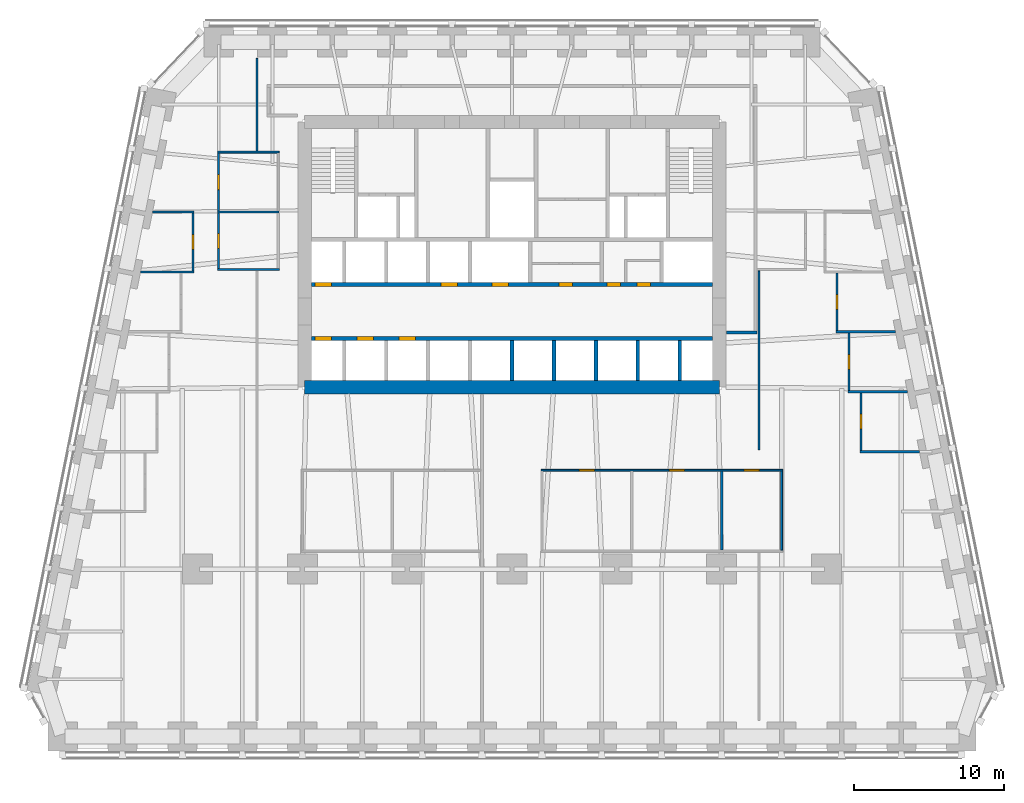
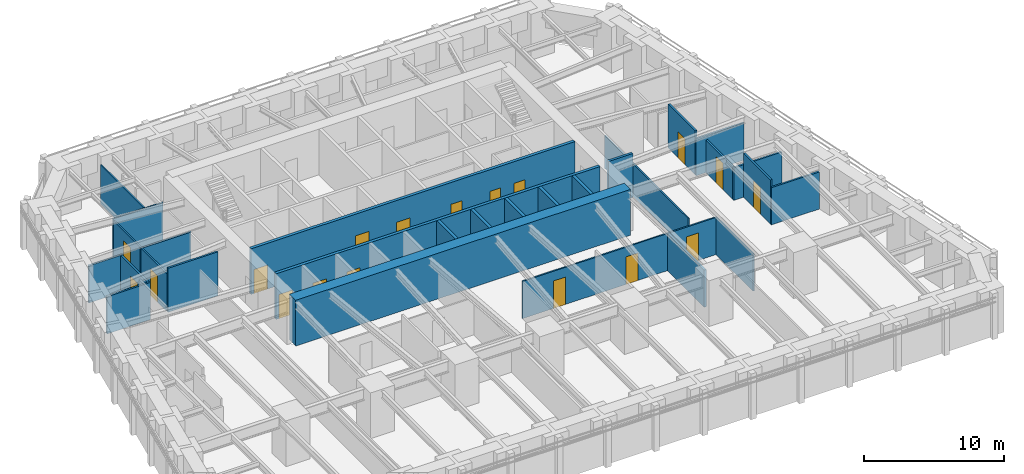
# One storey, part 6 of 10: 28 walls, 18 doors, 18 openings.
"""IFC4 building model written with IfcOpenShell, lengths in metres."""

from ifc_helpers import new_model, si_unit, direction, frame, frame_2d, origin, place, context, subcontext, project, spatial, rectangle, extrude, material, layer, layer_set, type_object, element, fill, save


model = new_model("IFC4")

# Units and contexts
model_context = context("Model", 3, precision=1e-05, world=origin(), true_north=direction((0.0, 1.0)))
body_context = subcontext(model_context, "Body", "Model", "MODEL_VIEW")
ifc_project = project(units=[si_unit("LENGTHUNIT", "METRE"), si_unit("AREAUNIT", "SQUARE_METRE"), si_unit("VOLUMEUNIT", "CUBIC_METRE"), si_unit("PLANEANGLEUNIT", "RADIAN"), si_unit("MASSUNIT", "GRAM", prefix="KILO")], contexts=[model_context])

# Site, building, storey
site_placement = place(None, origin())
site = spatial("IfcSite", under=ifc_project, at=site_placement, CompositionType="ELEMENT")
building_placement = place(site_placement, origin())
building = spatial("IfcBuilding", under=site, at=building_placement, Name="Isbrekke Arena Tower", CompositionType="ELEMENT")
storey_placement = place(building_placement, frame((0.0, 0.0, 60.0)))
storey = spatial("IfcBuildingStorey", under=building, at=storey_placement, Name="L12", CompositionType="ELEMENT", Elevation=60.0)

# Wall
ifc_material_1 = material(Name="Concrete B65 (C65/80)", Category="concrete")
ifc_layer_1 = layer(ifc_material_1, 0.89990234375)
ifc_layer_set_1 = layer_set([ifc_layer_1], Name="CW2 CORE WALL 900")
wall_type_1 = type_object("IfcWallType", Name="CW2 CORE WALL 900", PredefinedType="SHEAR", material=ifc_layer_set_1)
wall_1_placement = place(storey_placement, frame((-13.85009765625, 6.14990234375, 0.0), z_axis=(0.0, 0.0, 1.0), x_axis=(1.0, 0.0, 0.0)))
element("IfcWall", 1, at=wall_1_placement, inside=storey, type_object=wall_type_1, Name="Core wall S L12", PredefinedType="SHEAR", context=body_context, shape_type="SweptSolid", body=[
    extrude(rectangle(XDim=27.7001953125, YDim=0.89990234375, at=frame_2d((13.85009765625, 0.0))), origin(), (0.0, 0.0, 1.0), 4.0),
])

# Wall, openings, doors
ifc_material_2 = material(Name="Concrete B45 (C45/55)", Category="concrete")
ifc_layer_2 = layer(ifc_material_2, 0.25)
ifc_layer_set_2 = layer_set([ifc_layer_2], Name="CW6 SHAFT WALL 250")
wall_type_2 = type_object("IfcWallType", Name="CW6 SHAFT WALL 250", PredefinedType="SHEAR", material=ifc_layer_set_2)
wall_2_placement = place(storey_placement, frame((-13.39990234375, 9.39990234375, 0.0), z_axis=(0.0, 0.0, 1.0), x_axis=(1.0, 0.0, 0.0)))
wall_2 = element("IfcWall", 2, at=wall_2_placement, inside=storey, type_object=wall_type_2, Name="Core wall LS L12", PredefinedType="SHEAR", context=body_context, shape_type="SweptSolid", body=[
    extrude(rectangle(XDim=26.7998046875, YDim=0.25, at=frame_2d((13.39990234375, 0.0))), origin(), (0.0, 0.0, 1.0), 4.0),
])
opening_1_placement = place(wall_2_placement, frame((0.25, 0.0, 0.0)))
opening_1 = element("IfcOpeningElement", 3, at=opening_1_placement, cuts=wall_2, Name="Opening LD1", PredefinedType="OPENING", context=body_context, shape_type="SweptSolid", body=[
    extrude(rectangle(XDim=1.10009765625, YDim=2.10009765625, at=frame_2d((0.550048828125, 1.050048828125))), frame((0.0, 0.139892578125, 0.0), z_axis=(0.0, -1.0, 0.0), x_axis=(1.0, 0.0, 0.0)), (0.0, 0.0, 1.0), 0.27978515625),
])
opening_2_placement = place(wall_2_placement, frame((3.050048828125, 0.0, 0.0)))
opening_2 = element("IfcOpeningElement", 4, at=opening_2_placement, cuts=wall_2, Name="Opening LD1", PredefinedType="OPENING", context=body_context, shape_type="SweptSolid", body=[
    extrude(rectangle(XDim=1.10009765625, YDim=2.10009765625, at=frame_2d((0.550048828125, 1.050048828125))), frame((0.0, 0.139892578125, 0.0), z_axis=(0.0, -1.0, 0.0), x_axis=(1.0, 0.0, 0.0)), (0.0, 0.0, 1.0), 0.27978515625),
])
opening_3_placement = place(wall_2_placement, frame((5.85009765625, 0.0, 0.0)))
opening_3 = element("IfcOpeningElement", 5, at=opening_3_placement, cuts=wall_2, Name="Opening LD1", PredefinedType="OPENING", context=body_context, shape_type="SweptSolid", body=[
    extrude(rectangle(XDim=1.10009765625, YDim=2.10009765625, at=frame_2d((0.550048828125, 1.050048828125))), frame((0.0, 0.139892578125, 0.0), z_axis=(0.0, -1.0, 0.0), x_axis=(1.0, 0.0, 0.0)), (0.0, 0.0, 1.0), 0.27978515625),
])
ifc_material_3 = material(Name="Stainless steel lift landing door", Category="steel")
door_type_1 = type_object("IfcDoorType", Name="LD1 LIFT LANDING DOOR 1100 x 2100", OperationType="SLIDING_TO_LEFT", PredefinedType="DOOR", material=ifc_material_3)
door_1_placement = place(opening_1_placement, origin())
door_1 = element("IfcDoor", 6, at=door_1_placement, inside=storey, type_object=door_type_1, Name="LD1 lift landing door LA L12", OperationType="SLIDING_TO_LEFT", OverallHeight=2.10009765625, OverallWidth=1.10009765625, PredefinedType="DOOR", context=body_context, shape_type="SweptSolid", body=[
    extrude(rectangle(XDim=1.10009765625, YDim=2.10009765625, at=frame_2d((0.550048828125, 1.050048828125))), frame((0.0, 0.124755859375, 0.0), z_axis=(0.0, -1.0, 0.0), x_axis=(1.0, 0.0, 0.0)), (0.0, 0.0, 1.0), 0.24951171875),
])
fill(opening_1, door_1)
door_2_placement = place(opening_2_placement, origin())
door_2 = element("IfcDoor", 7, at=door_2_placement, inside=storey, type_object=door_type_1, Name="LD1 lift landing door LA L12", OperationType="SLIDING_TO_LEFT", OverallHeight=2.10009765625, OverallWidth=1.10009765625, PredefinedType="DOOR", context=body_context, shape_type="SweptSolid", body=[
    extrude(rectangle(XDim=1.10009765625, YDim=2.10009765625, at=frame_2d((0.550048828125, 1.050048828125))), frame((0.0, 0.124755859375, 0.0), z_axis=(0.0, -1.0, 0.0), x_axis=(1.0, 0.0, 0.0)), (0.0, 0.0, 1.0), 0.24951171875),
])
fill(opening_2, door_2)
door_3_placement = place(opening_3_placement, origin())
door_3 = element("IfcDoor", 8, at=door_3_placement, inside=storey, type_object=door_type_1, Name="LD1 lift landing door LA L12", OperationType="SLIDING_TO_LEFT", OverallHeight=2.10009765625, OverallWidth=1.10009765625, PredefinedType="DOOR", context=body_context, shape_type="SweptSolid", body=[
    extrude(rectangle(XDim=1.10009765625, YDim=2.10009765625, at=frame_2d((0.550048828125, 1.050048828125))), frame((0.0, 0.124755859375, 0.0), z_axis=(0.0, -1.0, 0.0), x_axis=(1.0, 0.0, 0.0)), (0.0, 0.0, 1.0), 0.24951171875),
])
fill(opening_3, door_3)

wall_3_placement = place(storey_placement, frame((-13.39990234375, 13.0, 0.0), z_axis=(0.0, 0.0, 1.0), x_axis=(1.0, 0.0, 0.0)))
wall_3 = element("IfcWall", 9, at=wall_3_placement, inside=storey, type_object=wall_type_2, Name="Core wall LN L12", PredefinedType="SHEAR", context=body_context, shape_type="SweptSolid", body=[
    extrude(rectangle(XDim=26.7998046875, YDim=0.25, at=frame_2d((13.39990234375, 0.0))), origin(), (0.0, 0.0, 1.0), 4.0),
])
opening_4_placement = place(wall_3_placement, frame((0.25, 0.0, 0.0)))
opening_4 = element("IfcOpeningElement", 10, at=opening_4_placement, cuts=wall_3, Name="Opening LD1", PredefinedType="OPENING", context=body_context, shape_type="SweptSolid", body=[
    extrude(rectangle(XDim=1.10009765625, YDim=2.10009765625, at=frame_2d((0.550048828125, 1.050048828125))), frame((0.0, 0.139892578125, 0.0), z_axis=(0.0, -1.0, 0.0), x_axis=(1.0, 0.0, 0.0)), (0.0, 0.0, 1.0), 0.27978515625),
])
opening_5_placement = place(wall_3_placement, frame((8.64990234375, 0.0, 0.0)))
opening_5 = element("IfcOpeningElement", 11, at=opening_5_placement, cuts=wall_3, Name="Opening LD1", PredefinedType="OPENING", context=body_context, shape_type="SweptSolid", body=[
    extrude(rectangle(XDim=1.10009765625, YDim=2.10009765625, at=frame_2d((0.550048828125, 1.050048828125))), frame((0.0, 0.139892578125, 0.0), z_axis=(0.0, -1.0, 0.0), x_axis=(1.0, 0.0, 0.0)), (0.0, 0.0, 1.0), 0.27978515625),
])
opening_6_placement = place(wall_3_placement, frame((12.050048828125, 0.0, 0.0)))
opening_6 = element("IfcOpeningElement", 12, at=opening_6_placement, cuts=wall_3, Name="Opening LD1", PredefinedType="OPENING", context=body_context, shape_type="SweptSolid", body=[
    extrude(rectangle(XDim=1.10009765625, YDim=2.10009765625, at=frame_2d((0.550048828125, 1.050048828125))), frame((0.0, 0.139892578125, 0.0), z_axis=(0.0, -1.0, 0.0), x_axis=(1.0, 0.0, 0.0)), (0.0, 0.0, 1.0), 0.27978515625),
])
opening_7_placement = place(wall_3_placement, frame((16.550048828125, 0.0, 0.0)))
opening_7 = element("IfcOpeningElement", 13, at=opening_7_placement, cuts=wall_3, Name="Opening D5", PredefinedType="OPENING", context=body_context, shape_type="SweptSolid", body=[
    extrude(rectangle(XDim=0.89990234375, YDim=2.10009765625, at=frame_2d((0.449951171875, 1.050048828125))), frame((0.0, 0.139892578125, 0.0), z_axis=(0.0, -1.0, 0.0), x_axis=(1.0, 0.0, 0.0)), (0.0, 0.0, 1.0), 0.27978515625),
])
opening_8_placement = place(wall_3_placement, frame((19.75, 0.0, 0.0)))
opening_8 = element("IfcOpeningElement", 14, at=opening_8_placement, cuts=wall_3, Name="Opening D5", PredefinedType="OPENING", context=body_context, shape_type="SweptSolid", body=[
    extrude(rectangle(XDim=0.89990234375, YDim=2.10009765625, at=frame_2d((0.449951171875, 1.050048828125))), frame((0.0, 0.139892578125, 0.0), z_axis=(0.0, -1.0, 0.0), x_axis=(1.0, 0.0, 0.0)), (0.0, 0.0, 1.0), 0.27978515625),
])
opening_9_placement = place(wall_3_placement, frame((21.75, 0.0, 0.0)))
opening_9 = element("IfcOpeningElement", 15, at=opening_9_placement, cuts=wall_3, Name="Opening D5", PredefinedType="OPENING", context=body_context, shape_type="SweptSolid", body=[
    extrude(rectangle(XDim=0.89990234375, YDim=2.10009765625, at=frame_2d((0.449951171875, 1.050048828125))), frame((0.0, 0.139892578125, 0.0), z_axis=(0.0, -1.0, 0.0), x_axis=(1.0, 0.0, 0.0)), (0.0, 0.0, 1.0), 0.27978515625),
])
ifc_material_4 = material(Name="Steel fire door", Category="steel")
door_type_2 = type_object("IfcDoorType", Name="D5 SERVICE DOOR 900 x 2100", OperationType="SINGLE_SWING_LEFT", PredefinedType="DOOR", material=ifc_material_4)
door_4_placement = place(opening_7_placement, origin())
door_4 = element("IfcDoor", 16, at=door_4_placement, inside=storey, type_object=door_type_2, Name="D5 tea point door L12", OperationType="SINGLE_SWING_LEFT", OverallHeight=2.10009765625, OverallWidth=0.89990234375, PredefinedType="DOOR", context=body_context, shape_type="SweptSolid", body=[
    extrude(rectangle(XDim=0.89990234375, YDim=2.10009765625, at=frame_2d((0.449951171875, 1.050048828125))), frame((0.0, 0.124755859375, 0.0), z_axis=(0.0, -1.0, 0.0), x_axis=(1.0, 0.0, 0.0)), (0.0, 0.0, 1.0), 0.24951171875),
])
fill(opening_7, door_4)
door_5_placement = place(opening_8_placement, origin())
door_5 = element("IfcDoor", 17, at=door_5_placement, inside=storey, type_object=door_type_2, Name="D5 communications room door L12", OperationType="SINGLE_SWING_LEFT", OverallHeight=2.10009765625, OverallWidth=0.89990234375, PredefinedType="DOOR", context=body_context, shape_type="SweptSolid", body=[
    extrude(rectangle(XDim=0.89990234375, YDim=2.10009765625, at=frame_2d((0.449951171875, 1.050048828125))), frame((0.0, 0.124755859375, 0.0), z_axis=(0.0, -1.0, 0.0), x_axis=(1.0, 0.0, 0.0)), (0.0, 0.0, 1.0), 0.24951171875),
])
fill(opening_8, door_5)
door_6_placement = place(opening_9_placement, origin())
door_6 = element("IfcDoor", 18, at=door_6_placement, inside=storey, type_object=door_type_2, Name="D5 cleaner's store door L12", OperationType="SINGLE_SWING_LEFT", OverallHeight=2.10009765625, OverallWidth=0.89990234375, PredefinedType="DOOR", context=body_context, shape_type="SweptSolid", body=[
    extrude(rectangle(XDim=0.89990234375, YDim=2.10009765625, at=frame_2d((0.449951171875, 1.050048828125))), frame((0.0, 0.124755859375, 0.0), z_axis=(0.0, -1.0, 0.0), x_axis=(1.0, 0.0, 0.0)), (0.0, 0.0, 1.0), 0.24951171875),
])
fill(opening_9, door_6)
door_7_placement = place(opening_4_placement, origin())
door_7 = element("IfcDoor", 19, at=door_7_placement, inside=storey, type_object=door_type_1, Name="LD1 lift landing door LA L12", OperationType="SLIDING_TO_LEFT", OverallHeight=2.10009765625, OverallWidth=1.10009765625, PredefinedType="DOOR", context=body_context, shape_type="SweptSolid", body=[
    extrude(rectangle(XDim=1.10009765625, YDim=2.10009765625, at=frame_2d((0.550048828125, 1.050048828125))), frame((0.0, 0.124755859375, 0.0), z_axis=(0.0, -1.0, 0.0), x_axis=(1.0, 0.0, 0.0)), (0.0, 0.0, 1.0), 0.24951171875),
])
fill(opening_4, door_7)
door_8_placement = place(opening_5_placement, origin())
door_8 = element("IfcDoor", 20, at=door_8_placement, inside=storey, type_object=door_type_1, Name="LD1 lift landing door LA L12", OperationType="SLIDING_TO_LEFT", OverallHeight=2.10009765625, OverallWidth=1.10009765625, PredefinedType="DOOR", context=body_context, shape_type="SweptSolid", body=[
    extrude(rectangle(XDim=1.10009765625, YDim=2.10009765625, at=frame_2d((0.550048828125, 1.050048828125))), frame((0.0, 0.124755859375, 0.0), z_axis=(0.0, -1.0, 0.0), x_axis=(1.0, 0.0, 0.0)), (0.0, 0.0, 1.0), 0.24951171875),
])
fill(opening_5, door_8)
door_9_placement = place(opening_6_placement, origin())
door_9 = element("IfcDoor", 21, at=door_9_placement, inside=storey, type_object=door_type_1, Name="LD1 lift landing door LA L12", OperationType="SLIDING_TO_LEFT", OverallHeight=2.10009765625, OverallWidth=1.10009765625, PredefinedType="DOOR", context=body_context, shape_type="SweptSolid", body=[
    extrude(rectangle(XDim=1.10009765625, YDim=2.10009765625, at=frame_2d((0.550048828125, 1.050048828125))), frame((0.0, 0.124755859375, 0.0), z_axis=(0.0, -1.0, 0.0), x_axis=(1.0, 0.0, 0.0)), (0.0, 0.0, 1.0), 0.24951171875),
])
fill(opening_6, door_9)

# Walls
for number, where, z_axis, x_axis, name in (
    (22, (0.0, 6.60009765625, 0.0), (0.0, 0.0, 1.0), (0.0, 1.0, 0.0), "Core wall SS05 L12"),
    (23, (2.800048828125, 6.60009765625, 0.0), (0.0, 0.0, 1.0), (0.0, 1.0, 0.0), "Core wall SS06 L12"),
    (24, (5.60009765625, 6.60009765625, 0.0), (0.0, 0.0, 1.0), (0.0, 1.0, 0.0), "Core wall SS07 L12"),
    (25, (8.39990234375, 6.60009765625, 0.0), (0.0, 0.0, 1.0), (0.0, 1.0, 0.0), "Core wall SS08 L12"),
    (26, (11.199951171875, 6.60009765625, 0.0), (0.0, 0.0, 1.0), (0.0, 1.0, 0.0), "Core wall SS09 L12"),
):
    element("IfcWall", number, at=place(storey_placement, frame(where, z_axis=z_axis, x_axis=x_axis)), inside=storey, type_object=wall_type_2, Name=name, PredefinedType="SHEAR", context=body_context, shape_type="SweptSolid", body=[
        extrude(rectangle(XDim=2.6748046875, YDim=0.25, at=frame_2d((1.33740234375, 0.0))), origin(), (0.0, 0.0, 1.0), 4.0),
    ])
ifc_material_5 = material(Name="Gypsum board partition on steel studs", Category="steel")
ifc_layer_3 = layer(ifc_material_5, 0.14990234375)
ifc_layer_set_3 = layer_set([ifc_layer_3], Name="IW1 PARTITION 150")
wall_type_3 = type_object("IfcWallType", Name="IW1 PARTITION 150", PredefinedType="PARTITIONING", material=ifc_layer_set_3)
wall_4_placement = place(storey_placement, frame((23.22509765625, 1.840087890625, 0.0), z_axis=(0.0, 0.0, 1.0), x_axis=(1.0, 0.0, 0.0)))
element("IfcWall", 27, at=wall_4_placement, inside=storey, type_object=wall_type_3, Name="IW1 partition 150 L12", PredefinedType="PARTITIONING", context=body_context, shape_type="SweptSolid", body=[
    extrude(rectangle(XDim=3.97119140625, YDim=0.14990234375, at=frame_2d((1.985595703125, 0.0))), origin(), (0.0, 0.0, 1.0), 3.25),
])
wall_5_placement = place(storey_placement, frame((22.425048828125, 5.840087890625, 0.0), z_axis=(0.0, 0.0, 1.0), x_axis=(1.0, 0.0, 0.0)))
element("IfcWall", 28, at=wall_5_placement, inside=storey, type_object=wall_type_3, Name="IW1 partition 150 L12", PredefinedType="PARTITIONING", context=body_context, shape_type="SweptSolid", body=[
    extrude(rectangle(XDim=3.971435546875, YDim=0.14990234375, at=frame_2d((1.98583984375, 0.0))), origin(), (0.0, 0.0, 1.0), 2.842041015625),
])
wall_6_placement = place(storey_placement, frame((21.625, 9.840087890625, 0.0), z_axis=(0.0, 0.0, 1.0), x_axis=(1.0, 0.0, 0.0)))
element("IfcWall", 29, at=wall_6_placement, inside=storey, type_object=wall_type_3, Name="IW1 partition 150 L12", PredefinedType="PARTITIONING", context=body_context, shape_type="SweptSolid", body=[
    extrude(rectangle(XDim=3.971435546875, YDim=0.14990234375, at=frame_2d((1.98583984375, 0.0))), origin(), (0.0, 0.0, 1.0), 3.25),
])
wall_7_placement = place(storey_placement, frame((-24.79638671875, 13.840087890625, 0.0), z_axis=(0.0, 0.0, 1.0), x_axis=(1.0, 0.0, 0.0)))
element("IfcWall", 30, at=wall_7_placement, inside=storey, type_object=wall_type_3, Name="IW1 partition 150 L12", PredefinedType="PARTITIONING", context=body_context, shape_type="SweptSolid", body=[
    extrude(rectangle(XDim=3.5712890625, YDim=0.14990234375, at=frame_2d((1.78564453125, 0.0))), origin(), (0.0, 0.0, 1.0), 3.25),
])
wall_8_placement = place(storey_placement, frame((-19.675048828125, 14.0, 0.0), z_axis=(0.0, 0.0, 1.0), x_axis=(1.0, 0.0, 0.0)))
element("IfcWall", 31, at=wall_8_placement, inside=storey, type_object=wall_type_3, Name="IW1 partition 150 L12", PredefinedType="PARTITIONING", context=body_context, shape_type="SweptSolid", body=[
    extrude(rectangle(XDim=4.150146484375, YDim=0.14990234375, at=frame_2d((2.0751953125, 0.0))), origin(), (0.0, 0.0, 1.0), 3.85009765625),
])
wall_9_placement = place(storey_placement, frame((-23.996337890625, 17.840087890625, 0.0), z_axis=(0.0, 0.0, 1.0), x_axis=(1.0, 0.0, 0.0)))
element("IfcWall", 32, at=wall_9_placement, inside=storey, type_object=wall_type_3, Name="IW1 partition 150 L12", PredefinedType="PARTITIONING", context=body_context, shape_type="SweptSolid", body=[
    extrude(rectangle(XDim=2.771240234375, YDim=0.14990234375, at=frame_2d((1.3857421875, 0.0))), origin(), (0.0, 0.0, 1.0), 3.25),
])
wall_10_placement = place(storey_placement, frame((-19.659912109375, 17.840087890625, 0.0), z_axis=(0.0, 0.0, 1.0), x_axis=(1.0, 0.0, 0.0)))
element("IfcWall", 33, at=wall_10_placement, inside=storey, type_object=wall_type_3, Name="IW1 partition 150 L12", PredefinedType="PARTITIONING", context=body_context, shape_type="SweptSolid", body=[
    extrude(rectangle(XDim=4.119873046875, YDim=0.14990234375, at=frame_2d((2.06005859375, 0.0))), origin(), (0.0, 0.0, 1.0), 3.25),
])

# Wall, opening, door
wall_11_placement = place(storey_placement, frame((-21.300048828125, 13.9150390625, 0.0), z_axis=(0.0, 0.0, 1.0), x_axis=(0.0, 1.0, 0.0)))
wall_11 = element("IfcWall", 34, at=wall_11_placement, inside=storey, type_object=wall_type_3, Name="IW1 partition 150 L12", PredefinedType="PARTITIONING", context=body_context, shape_type="SweptSolid", body=[
    extrude(rectangle(XDim=3.849853515625, YDim=0.14990234375, at=frame_2d((1.9248046875, 0.0))), origin(), (0.0, 0.0, 1.0), 3.25),
])
opening_10_placement = place(wall_11_placement, frame((1.425048828125, 0.0, 0.0)))
opening_10 = element("IfcOpeningElement", 35, at=opening_10_placement, cuts=wall_11, Name="Opening D10", PredefinedType="OPENING", context=body_context, shape_type="SweptSolid", body=[
    extrude(rectangle(XDim=1.0, YDim=2.300048828125, at=frame_2d((0.5, 1.14990234375))), frame((0.0, 0.08984375, 0.0), z_axis=(0.0, -1.0, 0.0), x_axis=(1.0, 0.0, 0.0)), (0.0, 0.0, 1.0), 0.1796875),
])
ifc_material_6 = material(Name="Timber door", Category="wood")
door_type_3 = type_object("IfcDoorType", Name="D10 OFFICE DOOR 1000 x 2300", OperationType="SINGLE_SWING_LEFT", PredefinedType="DOOR", material=ifc_material_6)
door_10_placement = place(opening_10_placement, origin())
door_10 = element("IfcDoor", 36, at=door_10_placement, inside=storey, type_object=door_type_3, Name="D10 office door L12", OperationType="SINGLE_SWING_LEFT", OverallHeight=2.300048828125, OverallWidth=1.0, PredefinedType="DOOR", context=body_context, shape_type="SweptSolid", body=[
    extrude(rectangle(XDim=1.0, YDim=2.300048828125, at=frame_2d((0.5, 1.14990234375))), frame((0.0, 0.07470703125, 0.0), z_axis=(0.0, -1.0, 0.0), x_axis=(1.0, 0.0, 0.0)), (0.0, 0.0, 1.0), 0.1494140625),
])
fill(opening_10, door_10)

wall_12_placement = place(storey_placement, frame((-19.60009765625, 14.074951171875, 0.0), z_axis=(0.0, 0.0, 1.0), x_axis=(0.0, 1.0, 0.0)))
wall_12 = element("IfcWall", 37, at=wall_12_placement, inside=storey, type_object=wall_type_3, Name="IW1 partition 150 L12", PredefinedType="PARTITIONING", context=body_context, shape_type="SweptSolid", body=[
    extrude(rectangle(XDim=3.68994140625, YDim=0.14990234375, at=frame_2d((1.844970703125, 0.0))), origin(), (0.0, 0.0, 1.0), 3.25),
])
opening_11_placement = place(wall_12_placement, frame((1.344970703125, 0.0, 0.0)))
opening_11 = element("IfcOpeningElement", 38, at=opening_11_placement, cuts=wall_12, Name="Opening D10", PredefinedType="OPENING", context=body_context, shape_type="SweptSolid", body=[
    extrude(rectangle(XDim=1.0, YDim=2.300048828125, at=frame_2d((0.5, 1.14990234375))), frame((0.0, 0.08984375, 0.0), z_axis=(0.0, -1.0, 0.0), x_axis=(1.0, 0.0, 0.0)), (0.0, 0.0, 1.0), 0.1796875),
])
door_11_placement = place(opening_11_placement, origin())
door_11 = element("IfcDoor", 39, at=door_11_placement, inside=storey, type_object=door_type_3, Name="D10 pantry door L12", OperationType="SINGLE_SWING_LEFT", OverallHeight=2.300048828125, OverallWidth=1.0, PredefinedType="DOOR", context=body_context, shape_type="SweptSolid", body=[
    extrude(rectangle(XDim=1.0, YDim=2.300048828125, at=frame_2d((0.5, 1.14990234375))), frame((0.0, 0.07470703125, 0.0), z_axis=(0.0, -1.0, 0.0), x_axis=(1.0, 0.0, 0.0)), (0.0, 0.0, 1.0), 0.1494140625),
])
fill(opening_11, door_11)

wall_13_placement = place(storey_placement, frame((21.699951171875, 9.9150390625, 0.0), z_axis=(0.0, 0.0, 1.0), x_axis=(0.0, 1.0, 0.0)))
wall_13 = element("IfcWall", 40, at=wall_13_placement, inside=storey, type_object=wall_type_3, Name="IW1 partition 150 L12", PredefinedType="PARTITIONING", context=body_context, shape_type="SweptSolid", body=[
    extrude(rectangle(XDim=3.849853515625, YDim=0.14990234375, at=frame_2d((1.9248046875, 0.0))), origin(), (0.0, 0.0, 1.0), 3.85009765625),
])
opening_12_placement = place(wall_13_placement, frame((1.425048828125, 0.0, 0.0)))
opening_12 = element("IfcOpeningElement", 41, at=opening_12_placement, cuts=wall_13, Name="Opening D10", PredefinedType="OPENING", context=body_context, shape_type="SweptSolid", body=[
    extrude(rectangle(XDim=1.0, YDim=2.300048828125, at=frame_2d((0.5, 1.14990234375))), frame((0.0, 0.08984375, 0.0), z_axis=(0.0, -1.0, 0.0), x_axis=(1.0, 0.0, 0.0)), (0.0, 0.0, 1.0), 0.1796875),
])
door_12_placement = place(opening_12_placement, origin())
door_12 = element("IfcDoor", 42, at=door_12_placement, inside=storey, type_object=door_type_3, Name="D10 office door L12", OperationType="SINGLE_SWING_LEFT", OverallHeight=2.300048828125, OverallWidth=1.0, PredefinedType="DOOR", context=body_context, shape_type="SweptSolid", body=[
    extrude(rectangle(XDim=1.0, YDim=2.300048828125, at=frame_2d((0.5, 1.14990234375))), frame((0.0, 0.07470703125, 0.0), z_axis=(0.0, -1.0, 0.0), x_axis=(1.0, 0.0, 0.0)), (0.0, 0.0, 1.0), 0.1494140625),
])
fill(opening_12, door_12)

wall_14_placement = place(storey_placement, frame((22.5, 5.9150390625, 0.0), z_axis=(0.0, 0.0, 1.0), x_axis=(0.0, 1.0, 0.0)))
wall_14 = element("IfcWall", 43, at=wall_14_placement, inside=storey, type_object=wall_type_3, Name="IW1 partition 150 L12", PredefinedType="PARTITIONING", context=body_context, shape_type="SweptSolid", body=[
    extrude(rectangle(XDim=3.849853515625, YDim=0.14990234375, at=frame_2d((1.9248046875, 0.0))), origin(), (0.0, 0.0, 1.0), 2.842041015625),
])
opening_13_placement = place(wall_14_placement, frame((1.425048828125, 0.0, 0.0)))
opening_13 = element("IfcOpeningElement", 44, at=opening_13_placement, cuts=wall_14, Name="Opening D10", PredefinedType="OPENING", context=body_context, shape_type="SweptSolid", body=[
    extrude(rectangle(XDim=1.0, YDim=2.300048828125, at=frame_2d((0.5, 1.14990234375))), frame((0.0, 0.08984375, 0.0), z_axis=(0.0, -1.0, 0.0), x_axis=(1.0, 0.0, 0.0)), (0.0, 0.0, 1.0), 0.1796875),
])
door_13_placement = place(opening_13_placement, origin())
door_13 = element("IfcDoor", 45, at=door_13_placement, inside=storey, type_object=door_type_3, Name="D10 office door L12", OperationType="SINGLE_SWING_LEFT", OverallHeight=2.300048828125, OverallWidth=1.0, PredefinedType="DOOR", context=body_context, shape_type="SweptSolid", body=[
    extrude(rectangle(XDim=1.0, YDim=2.300048828125, at=frame_2d((0.5, 1.14990234375))), frame((0.0, 0.07470703125, 0.0), z_axis=(0.0, -1.0, 0.0), x_axis=(1.0, 0.0, 0.0)), (0.0, 0.0, 1.0), 0.1494140625),
])
fill(opening_13, door_13)

wall_15_placement = place(storey_placement, frame((23.300048828125, 1.9150390625, 0.0), z_axis=(0.0, 0.0, 1.0), x_axis=(0.0, 1.0, 0.0)))
wall_15 = element("IfcWall", 46, at=wall_15_placement, inside=storey, type_object=wall_type_3, Name="IW1 partition 150 L12", PredefinedType="PARTITIONING", context=body_context, shape_type="SweptSolid", body=[
    extrude(rectangle(XDim=3.849853515625, YDim=0.14990234375, at=frame_2d((1.9248046875, 0.0))), origin(), (0.0, 0.0, 1.0), 3.85009765625),
])
opening_14_placement = place(wall_15_placement, frame((1.425048828125, 0.0, 0.0)))
opening_14 = element("IfcOpeningElement", 47, at=opening_14_placement, cuts=wall_15, Name="Opening D10", PredefinedType="OPENING", context=body_context, shape_type="SweptSolid", body=[
    extrude(rectangle(XDim=1.0, YDim=2.300048828125, at=frame_2d((0.5, 1.14990234375))), frame((0.0, 0.08984375, 0.0), z_axis=(0.0, -1.0, 0.0), x_axis=(1.0, 0.0, 0.0)), (0.0, 0.0, 1.0), 0.1796875),
])
door_14_placement = place(opening_14_placement, origin())
door_14 = element("IfcDoor", 48, at=door_14_placement, inside=storey, type_object=door_type_3, Name="D10 office door L12", OperationType="SINGLE_SWING_LEFT", OverallHeight=2.300048828125, OverallWidth=1.0, PredefinedType="DOOR", context=body_context, shape_type="SweptSolid", body=[
    extrude(rectangle(XDim=1.0, YDim=2.300048828125, at=frame_2d((0.5, 1.14990234375))), frame((0.0, 0.07470703125, 0.0), z_axis=(0.0, -1.0, 0.0), x_axis=(1.0, 0.0, 0.0)), (0.0, 0.0, 1.0), 0.1494140625),
])
fill(opening_14, door_14)

# Wall, openings, doors
ifc_material_7 = material(Name="Frameless glazed partition, laminated acoustic glass", Category="glass")
ifc_layer_4 = layer(ifc_material_7, 0.1201171875)
ifc_layer_set_4 = layer_set([ifc_layer_4], Name="IW2 GLAZED PARTITION 120")
wall_type_4 = type_object("IfcWallType", Name="IW2 GLAZED PARTITION 120", PredefinedType="PARTITIONING", material=ifc_layer_set_4)
wall_16_placement = place(storey_placement, frame((1.93994140625, 0.60009765625, 0.0), z_axis=(0.0, 0.0, 1.0), x_axis=(1.0, 0.0, 0.0)))
wall_16 = element("IfcWall", 49, at=wall_16_placement, inside=storey, type_object=wall_type_4, Name="IW2 glazed partition 120 L12", PredefinedType="PARTITIONING", context=body_context, shape_type="SweptSolid", body=[
    extrude(rectangle(XDim=16.1201171875, YDim=0.1201171875, at=frame_2d((8.06005859375, 0.0))), origin(), (0.0, 0.0, 1.0), 3.25),
])
opening_15_placement = place(wall_16_placement, frame((2.56005859375, 0.0, 0.0)))
opening_15 = element("IfcOpeningElement", 50, at=opening_15_placement, cuts=wall_16, Name="Opening D11", PredefinedType="OPENING", context=body_context, shape_type="SweptSolid", body=[
    extrude(rectangle(XDim=1.0, YDim=2.39990234375, at=frame_2d((0.5, 1.199951171875))), frame((0.0, 0.074951171875, 0.0), z_axis=(0.0, -1.0, 0.0), x_axis=(1.0, 0.0, 0.0)), (0.0, 0.0, 1.0), 0.14990234375),
])
opening_16_placement = place(wall_16_placement, frame((8.56005859375, 0.0, 0.0)))
opening_16 = element("IfcOpeningElement", 51, at=opening_16_placement, cuts=wall_16, Name="Opening D11", PredefinedType="OPENING", context=body_context, shape_type="SweptSolid", body=[
    extrude(rectangle(XDim=1.0, YDim=2.39990234375, at=frame_2d((0.5, 1.199951171875))), frame((0.0, 0.074951171875, 0.0), z_axis=(0.0, -1.0, 0.0), x_axis=(1.0, 0.0, 0.0)), (0.0, 0.0, 1.0), 0.14990234375),
])
opening_17_placement = place(wall_16_placement, frame((13.56005859375, 0.0, 0.0)))
opening_17 = element("IfcOpeningElement", 52, at=opening_17_placement, cuts=wall_16, Name="Opening D11", PredefinedType="OPENING", context=body_context, shape_type="SweptSolid", body=[
    extrude(rectangle(XDim=1.0, YDim=2.39990234375, at=frame_2d((0.5, 1.199951171875))), frame((0.0, 0.074951171875, 0.0), z_axis=(0.0, -1.0, 0.0), x_axis=(1.0, 0.0, 0.0)), (0.0, 0.0, 1.0), 0.14990234375),
])
ifc_material_8 = material(Name="Frameless glazed door", Category="glass")
door_type_4 = type_object("IfcDoorType", Name="D11 GLAZED MEETING ROOM DOOR 1000 x 2400", OperationType="SINGLE_SWING_RIGHT", PredefinedType="DOOR", material=ifc_material_8)
door_15_placement = place(opening_15_placement, origin())
door_15 = element("IfcDoor", 53, at=door_15_placement, inside=storey, type_object=door_type_4, Name="D11 meeting room door L12", OperationType="SINGLE_SWING_RIGHT", OverallHeight=2.39990234375, OverallWidth=1.0, PredefinedType="DOOR", context=body_context, shape_type="SweptSolid", body=[
    extrude(rectangle(XDim=1.0, YDim=2.39990234375, at=frame_2d((0.5, 1.199951171875))), frame((0.0, 0.059814453125, 0.0), z_axis=(0.0, -1.0, 0.0), x_axis=(1.0, 0.0, 0.0)), (0.0, 0.0, 1.0), 0.11962890625),
])
fill(opening_15, door_15)
door_16_placement = place(opening_16_placement, origin())
door_16 = element("IfcDoor", 54, at=door_16_placement, inside=storey, type_object=door_type_4, Name="D11 meeting room door L12", OperationType="SINGLE_SWING_RIGHT", OverallHeight=2.39990234375, OverallWidth=1.0, PredefinedType="DOOR", context=body_context, shape_type="SweptSolid", body=[
    extrude(rectangle(XDim=1.0, YDim=2.39990234375, at=frame_2d((0.5, 1.199951171875))), frame((0.0, 0.059814453125, 0.0), z_axis=(0.0, -1.0, 0.0), x_axis=(1.0, 0.0, 0.0)), (0.0, 0.0, 1.0), 0.11962890625),
])
fill(opening_16, door_16)
door_17_placement = place(opening_17_placement, origin())
door_17 = element("IfcDoor", 55, at=door_17_placement, inside=storey, type_object=door_type_4, Name="D11 quiet room door L12", OperationType="SINGLE_SWING_RIGHT", OverallHeight=2.39990234375, OverallWidth=1.0, PredefinedType="DOOR", context=body_context, shape_type="SweptSolid", body=[
    extrude(rectangle(XDim=1.0, YDim=2.39990234375, at=frame_2d((0.5, 1.199951171875))), frame((0.0, 0.059814453125, 0.0), z_axis=(0.0, -1.0, 0.0), x_axis=(1.0, 0.0, 0.0)), (0.0, 0.0, 1.0), 0.11962890625),
])
fill(opening_17, door_17)

# Wall
wall_17_placement = place(storey_placement, frame((-19.659912109375, 21.840087890625, 0.0), z_axis=(0.0, 0.0, 1.0), x_axis=(1.0, 0.0, 0.0)))
element("IfcWall", 56, at=wall_17_placement, inside=storey, type_object=wall_type_4, Name="IW2 glazed partition 120 L12", PredefinedType="PARTITIONING", context=body_context, shape_type="SweptSolid", body=[
    extrude(rectangle(XDim=4.119873046875, YDim=0.1201171875, at=frame_2d((2.06005859375, 0.0))), origin(), (0.0, 0.0, 1.0), 3.39990234375),
])

# Wall, opening, door
wall_18_placement = place(storey_placement, frame((-19.60009765625, 17.9150390625, 0.0), z_axis=(0.0, 0.0, 1.0), x_axis=(0.0, 1.0, 0.0)))
wall_18 = element("IfcWall", 57, at=wall_18_placement, inside=storey, type_object=wall_type_4, Name="IW2 glazed partition 120 L12", PredefinedType="PARTITIONING", context=body_context, shape_type="SweptSolid", body=[
    extrude(rectangle(XDim=3.864990234375, YDim=0.1201171875, at=frame_2d((1.9326171875, 0.0))), origin(), (0.0, 0.0, 1.0), 3.25),
])
opening_18_placement = place(wall_18_placement, frame((1.425048828125, 0.0, 0.0)))
opening_18 = element("IfcOpeningElement", 58, at=opening_18_placement, cuts=wall_18, Name="Opening D11", PredefinedType="OPENING", context=body_context, shape_type="SweptSolid", body=[
    extrude(rectangle(XDim=1.0, YDim=2.39990234375, at=frame_2d((0.5, 1.199951171875))), frame((0.0, 0.074951171875, 0.0), z_axis=(0.0, -1.0, 0.0), x_axis=(1.0, 0.0, 0.0)), (0.0, 0.0, 1.0), 0.14990234375),
])
door_18_placement = place(opening_18_placement, origin())
door_18 = element("IfcDoor", 59, at=door_18_placement, inside=storey, type_object=door_type_4, Name="D11 quiet room door L12", OperationType="SINGLE_SWING_RIGHT", OverallHeight=2.39990234375, OverallWidth=1.0, PredefinedType="DOOR", context=body_context, shape_type="SweptSolid", body=[
    extrude(rectangle(XDim=1.0, YDim=2.39990234375, at=frame_2d((0.5, 1.199951171875))), frame((0.0, 0.059814453125, 0.0), z_axis=(0.0, -1.0, 0.0), x_axis=(1.0, 0.0, 0.0)), (0.0, 0.0, 1.0), 0.11962890625),
])
fill(opening_18, door_18)

# Walls
wall_19_placement = place(storey_placement, frame((18.0, -4.739990234375, 0.0), z_axis=(0.0, 0.0, 1.0), x_axis=(0.0, 1.0, 0.0)))
element("IfcWall", 60, at=wall_19_placement, inside=storey, type_object=wall_type_4, Name="IW2 glazed partition 120 L12", PredefinedType="PARTITIONING", context=body_context, shape_type="SweptSolid", body=[
    extrude(rectangle(XDim=5.280029296875, YDim=0.1201171875, at=frame_2d((2.64013671875, 0.0))), origin(), (0.0, 0.0, 1.0), 3.25),
])
wall_20_placement = place(storey_placement, frame((-17.01904296875, 21.919921875, 0.0), z_axis=(0.0, 0.0, 1.0), x_axis=(0.0, 1.0, 0.0)))
element("IfcWall", 61, at=wall_20_placement, inside=storey, type_object=wall_type_4, Name="IW2 glazed partition 120 L12", PredefinedType="PARTITIONING", context=body_context, shape_type="SweptSolid", body=[
    extrude(rectangle(XDim=6.18017578125, YDim=0.1201171875, at=frame_2d((3.090087890625, 0.0))), origin(), (0.0, 0.0, 1.0), 3.39990234375),
])
wall_21_placement = place(storey_placement, frame((16.490966796875, 1.9599609375, 0.0), z_axis=(0.0, 0.0, 1.0), x_axis=(0.0, 1.0, 0.0)))
element("IfcWall", 62, at=wall_21_placement, inside=storey, type_object=wall_type_4, Name="IW2 glazed partition 120 L12", PredefinedType="PARTITIONING", context=body_context, shape_type="SweptSolid", body=[
    extrude(rectangle(XDim=11.945068359375, YDim=0.1201171875, at=frame_2d((5.97265625, 0.0))), origin(), (0.0, 0.0, 1.0), 2.842041015625),
])
ifc_material_9 = material(Name="Gypsum board fire-cell wall on steel studs, two layers each side", Category="steel")
ifc_layer_5 = layer(ifc_material_9, 0.199951171875)
ifc_layer_set_5 = layer_set([ifc_layer_5], Name="IW3 FIRE-CELL WALL 200")
wall_type_5 = type_object("IfcWallType", Name="IW3 FIRE-CELL WALL 200", PredefinedType="PARTITIONING", material=ifc_layer_set_5)
wall_22_placement = place(storey_placement, frame((14.330078125, 9.800048828125, 0.0), z_axis=(0.0, 0.0, 1.0), x_axis=(1.0, 0.0, 0.0)))
element("IfcWall", 63, at=wall_22_placement, inside=storey, type_object=wall_type_5, Name="IW3 fire-cell wall 200 L12", PredefinedType="PARTITIONING", context=body_context, shape_type="SweptSolid", body=[
    extrude(rectangle(XDim=2.02001953125, YDim=0.199951171875, at=frame_2d((1.010009765625, 0.0))), origin(), (0.0, 0.0, 1.0), 3.85009765625),
])
ifc_material_10 = material(Name="Gypsum board acoustic partition on twin steel studs", Category="steel")
ifc_layer_6 = layer(ifc_material_10, 0.175048828125)
ifc_layer_set_6 = layer_set([ifc_layer_6], Name="IW4 ACOUSTIC PARTITION 175")
wall_type_6 = type_object("IfcWallType", Name="IW4 ACOUSTIC PARTITION 175", PredefinedType="PARTITIONING", material=ifc_layer_set_6)
wall_23_placement = place(storey_placement, frame((14.0, -4.739990234375, 0.0), z_axis=(0.0, 0.0, 1.0), x_axis=(0.0, 1.0, 0.0)))
element("IfcWall", 64, at=wall_23_placement, inside=storey, type_object=wall_type_6, Name="IW4 acoustic partition 175 L12", PredefinedType="PARTITIONING", context=body_context, shape_type="SweptSolid", body=[
    extrude(rectangle(XDim=5.280029296875, YDim=0.175048828125, at=frame_2d((2.64013671875, 0.0))), origin(), (0.0, 0.0, 1.0), 3.25),
])

save(model, "model.ifc")
